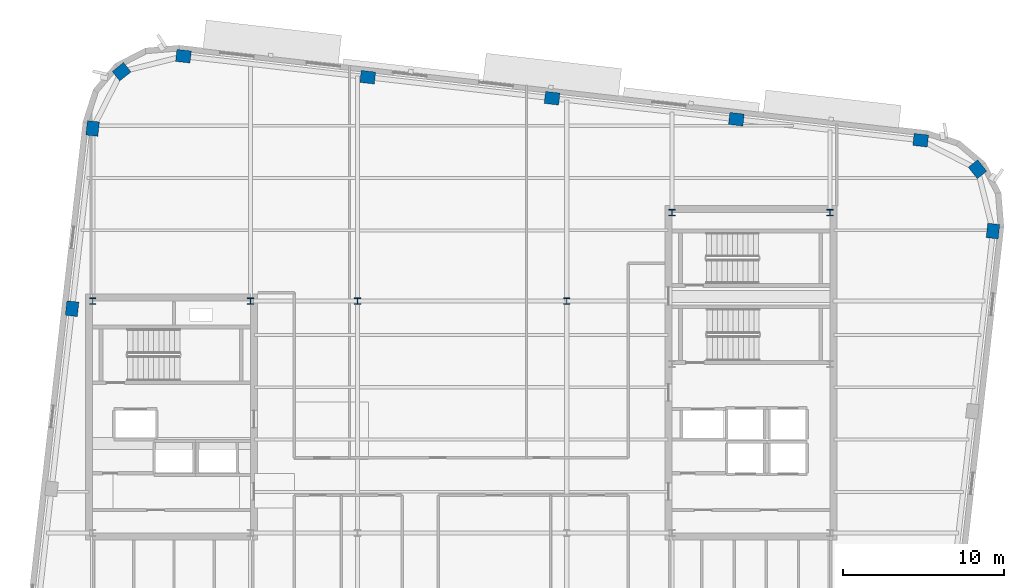
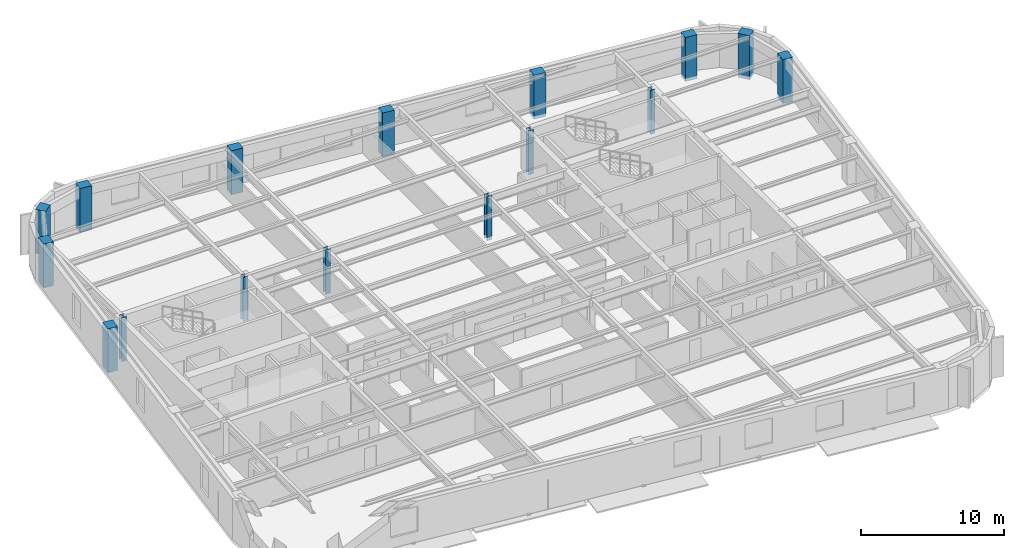
# One storey, part 2 of 14: 16 columns.
"""IFC4 building model written with IfcOpenShell, lengths in metres."""

from ifc_helpers import new_model, si_unit, direction, frame, origin, origin_2d, place, context, subcontext, project, spatial, rectangle, i_section, extrude, material, material_profile, profile_set, type_object, element, save


model = new_model("IFC4")

# Units and contexts
model_context = context("Model", 3, precision=1e-05, world=origin(), true_north=direction((0.0, 1.0)))
body_context = subcontext(model_context, "Body", "Model", "MODEL_VIEW")
ifc_project = project(units=[si_unit("LENGTHUNIT", "METRE"), si_unit("AREAUNIT", "SQUARE_METRE"), si_unit("VOLUMEUNIT", "CUBIC_METRE"), si_unit("PLANEANGLEUNIT", "RADIAN"), si_unit("MASSUNIT", "GRAM", prefix="KILO")], contexts=[model_context])

# Site, building, storey
site_placement = place(None, origin())
site = spatial("IfcSite", under=ifc_project, at=site_placement, CompositionType="ELEMENT")
building_placement = place(site_placement, origin())
building = spatial("IfcBuilding", under=site, at=building_placement, Name="Kolvaren Arena Tower", CompositionType="ELEMENT")
storey_placement = place(building_placement, frame((0.0, 0.0, 258.449951171875)))
storey = spatial("IfcBuildingStorey", under=building, at=storey_placement, Name="L63", CompositionType="ELEMENT", Elevation=258.449951171875)

# Columns
ifc_material_1 = material(Name="Precast concrete C55/67", Category="concrete")
ifc_material_profile_1 = material_profile(ifc_material_1, rectangle(XDim=0.89990234375, YDim=0.75, at=origin_2d()), Name="RC-900x750")
ifc_profile_set_1 = profile_set([ifc_material_profile_1], Name="Precast concrete C55/67")
column_type_1 = type_object("IfcColumnType", Name="EXCOL-Z4", PredefinedType="COLUMN", material=ifc_profile_set_1)
for number, where, z_axis, x_axis, name in (
    (1, (70.482177734375, 38.20458984375, -0.27001953125), (0.0, 0.0, 1.0), (0.113203213768, 0.993571855677, 0.0), "Exoskeleton Perimeter Column 10 (L63)"),
    (2, (69.519775390625, 42.047119140625, -0.27001953125), (0.0, 0.0, 1.0), (-0.622514636638, 0.782608156852, 0.0), "Exoskeleton Perimeter Column 11 (L63)"),
    (3, (65.9921875, 43.84912109375, -0.27001953125), (0.0, 0.0, 1.0), (0.993571855677, -0.113203213768, 0.0), "Exoskeleton Perimeter Column 12 (L63)"),
    (4, (54.54150390625, 45.15380859375, -0.27001953125), (0.0, 0.0, 1.0), (0.993571855677, -0.113203213768, 0.0), "Exoskeleton Perimeter Column 13 (L63)"),
    (5, (43.090576171875, 46.45849609375, -0.27001953125), (0.0, 0.0, 1.0), (0.993571855677, -0.113203213768, 0.0), "Exoskeleton Perimeter Column 14 (L63)"),
    (6, (31.6396484375, 47.76318359375, -0.27001953125), (0.0, 0.0, 1.0), (0.993571855677, -0.113203213768, 0.0), "Exoskeleton Perimeter Column 15 (L63)"),
    (7, (20.188720703125, 49.06787109375, -0.27001953125), (0.0, 0.0, 1.0), (0.993571855677, -0.113203213768, 0.0), "Exoskeleton Perimeter Column 16 (L63)"),
    (8, (16.34619140625, 48.10546875, -0.27001953125), (0.0, 0.0, 1.0), (0.782608156852, 0.622514636638, 0.0), "Exoskeleton Perimeter Column 17 (L63)"),
    (9, (14.544189453125, 44.577880859375, -0.27001953125), (0.0, 0.0, 1.0), (0.113203213768, 0.993571855677, 0.0), "Exoskeleton Perimeter Column 18 (L63)"),
    (10, (13.268798828125, 33.3837890625, -0.27001953125), (0.0, 0.0, 1.0), (0.113203213768, 0.993571855677, 0.0), "Exoskeleton Perimeter Column 19 (L63)"),
):
    element("IfcColumn", number, at=place(storey_placement, frame(where, z_axis=z_axis, x_axis=x_axis)), inside=storey, type_object=column_type_1, Name=name, PredefinedType="COLUMN", context=body_context, shape_type="SweptSolid", body=[
        extrude(rectangle(XDim=0.89990234375, YDim=0.75, at=origin_2d()), origin(), (0.0, 0.0, 1.0), 3.75),
    ])
ifc_material_2 = material(Name="Steel ASTM A913 Grade 65", Category="steel")
ifc_material_profile_2 = material_profile(ifc_material_2, i_section(OverallWidth=0.39892578125, OverallDepth=0.39306640625, WebThickness=0.022705078125, FlangeThickness=0.03662109375, FilletRadius=0.02001953125, at=origin_2d()), Name="W360x287")
ifc_profile_set_2 = profile_set([ifc_material_profile_2], Name="Steel ASTM A913 Grade 65")
column_type_2 = type_object("IfcColumnType", Name="SCOL-Z4", PredefinedType="COLUMN", material=ifc_profile_set_2)
for number, where, z_axis, x_axis, name in (
    (11, (14.550048828125, 33.85009765625, -0.27001953125), (0.0, 0.0, 1.0), (1.0, 0.0, 0.0), "Core Boundary Column WC-NW (L63)"),
    (12, (24.35009765625, 33.85009765625, -0.27001953125), (0.0, 0.0, 1.0), (1.0, 0.0, 0.0), "Core Boundary Column WC-NE (L63)"),
    (13, (50.550048828125, 39.35009765625, -0.27001953125), (0.0, 0.0, 1.0), (1.0, 0.0, 0.0), "Core Boundary Column EC-NW (L63)"),
    (14, (60.35009765625, 39.35009765625, -0.27001953125), (0.0, 0.0, 1.0), (1.0, 0.0, 0.0), "Core Boundary Column EC-NE (L63)"),
    (15, (31.0, 33.85009765625, -0.27001953125), (0.0, 0.0, 1.0), (1.0, 0.0, 0.0), "Interior Gravity Column TC-NW (L63)"),
    (16, (44.0, 33.85009765625, -0.27001953125), (0.0, 0.0, 1.0), (1.0, 0.0, 0.0), "Interior Gravity Column TC-NE (L63)"),
):
    element("IfcColumn", number, at=place(storey_placement, frame(where, z_axis=z_axis, x_axis=x_axis)), inside=storey, type_object=column_type_2, Name=name, PredefinedType="COLUMN", context=body_context, shape_type="SweptSolid", body=[
        extrude(i_section(OverallWidth=0.39892578125, OverallDepth=0.39306640625, WebThickness=0.022705078125, FlangeThickness=0.03662109375, FilletRadius=0.02001953125, at=origin_2d()), origin(), (0.0, 0.0, 1.0), 3.75),
    ])

save(model, "model.ifc")
